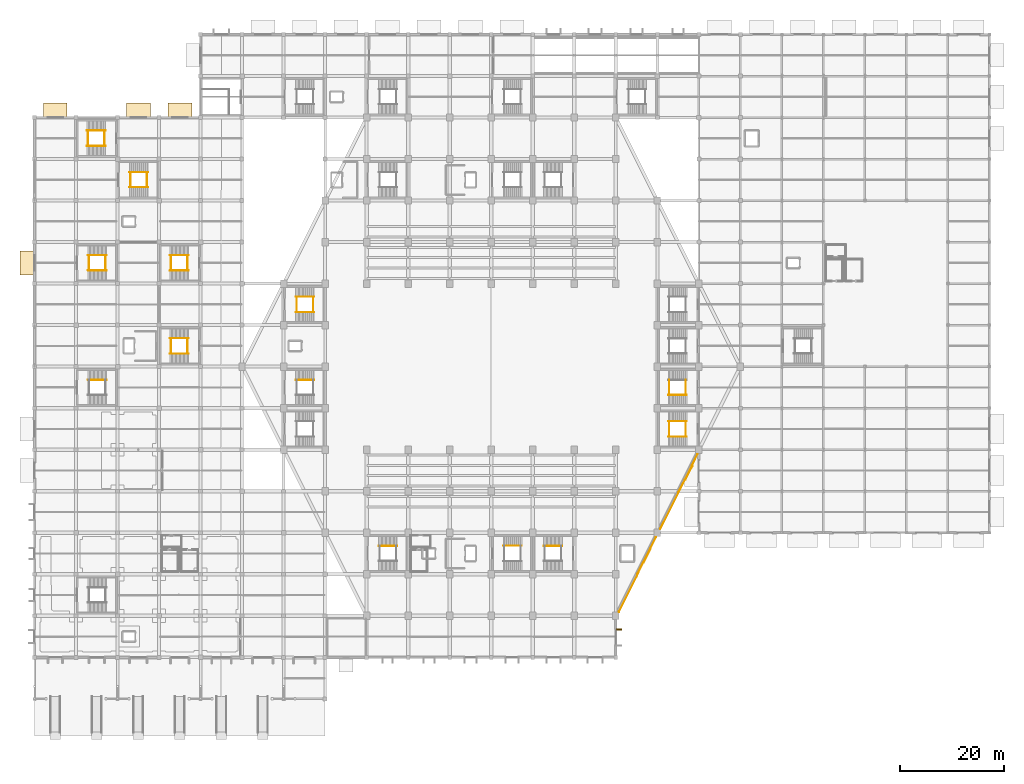
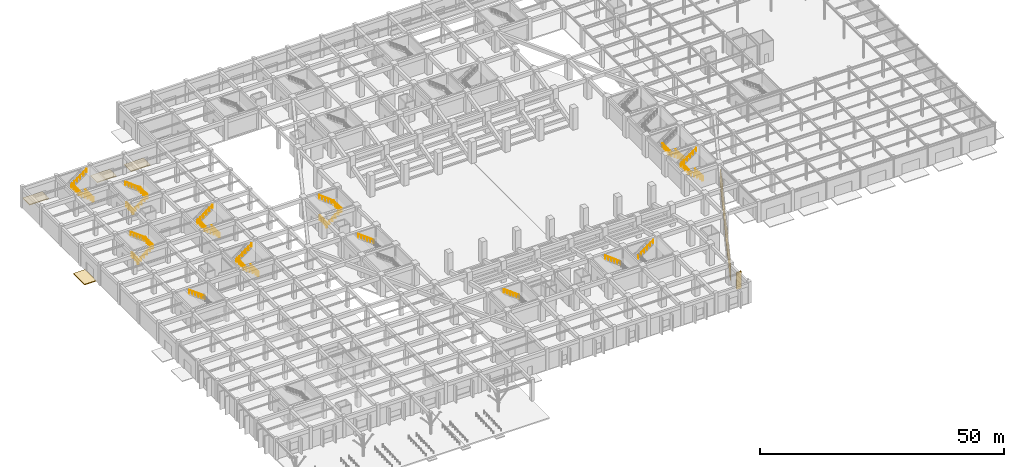
# One storey, part 37 of 39: 36 railings, 9 coverings, 2 shading devices.
"""IFC4 building model written with IfcOpenShell, lengths in metres."""

from ifc_helpers import new_model, si_unit, direction, frame, origin, origin_2d, place, context, subcontext, project, spatial, polyline, rectangle, circle, outline, extrude, material, layer, layer_set, type_object, element, save


model = new_model("IFC4")

# Units and contexts
model_context = context("Model", 3, precision=1e-05, world=origin(), true_north=direction((0.0, 1.0)))
body_context = subcontext(model_context, "Body", "Model", "MODEL_VIEW")
ifc_project = project(units=[si_unit("LENGTHUNIT", "METRE"), si_unit("AREAUNIT", "SQUARE_METRE"), si_unit("VOLUMEUNIT", "CUBIC_METRE"), si_unit("PLANEANGLEUNIT", "RADIAN"), si_unit("MASSUNIT", "GRAM", prefix="KILO")], contexts=[model_context])

# Site, building, storey
site_placement = place(None, origin())
site = spatial("IfcSite", under=ifc_project, at=site_placement, CompositionType="ELEMENT")
building_placement = place(site_placement, origin())
building = spatial("IfcBuilding", under=site, at=building_placement, Name="Tazarka Park Arena", CompositionType="ELEMENT")
storey_placement = place(building_placement, origin())
storey = spatial("IfcBuildingStorey", under=building, at=storey_placement, Name="L00", CompositionType="ELEMENT", Elevation=0.0)

# Coverings
ifc_material_1 = material(Name="Dark ribbed perforated bronze-charcoal aluminium mesh", Category="aluminium")
ifc_layer_1 = layer(ifc_material_1, 0.06005859375, Name="Dark ribbed perforated bronze-charcoal aluminium mesh")
ifc_layer_set_1 = layer_set([ifc_layer_1], Name="Dark ribbed perforated bronze-charcoal aluminium mesh")
covering_type_1 = type_object("IfcCoveringType", Name="CLD-01", PredefinedType="CLADDING", material=ifc_layer_set_1)
covering_1_placement = place(storey_placement, frame((112.60498046875, 13.367431640625, 0.0), z_axis=(0.0, 0.0, 1.0), x_axis=(0.0, -1.0, 0.0)))
element("IfcCovering", 1, at=covering_1_placement, inside=storey, type_object=covering_type_1, Name="Window Reveal Brise-Soleil Fin L00-0023-1", PredefinedType="CLADDING", context=body_context, shape_type="SweptSolid", body=[
    extrude(rectangle(XDim=0.280029296875, YDim=1.10009765625, at=origin_2d()), origin(), (0.0, 0.0, 1.0), 4.199951171875),
])
for number, where, z_axis, x_axis, name in (
    (2, (125.99560546875, 43.577392578125, 0.0), (0.0, 0.0, 1.0), (-0.447290848419, -0.89438856037, 0.0), "Ribbed Metal Mesh Cladding EW-L00-0152"),
    (3, (122.344482421875, 36.252685546875, 0.0), (0.0, 0.0, 1.0), (-0.447290848419, -0.89438856037, 0.0), "Ribbed Metal Mesh Cladding EW-L00-0153"),
    (4, (117.968505859375, 27.5908203125, 0.0), (0.0, 0.0, 1.0), (-0.447290848419, -0.89438856037, 0.0), "Ribbed Metal Mesh Cladding EW-L00-0154"),
    (5, (114.353515625, 20.248291015625, 0.0), (0.0, 0.0, 1.0), (-0.447290848419, -0.89438856037, 0.0), "Ribbed Metal Mesh Cladding EW-L00-0155"),
):
    element("IfcCovering", number, at=place(storey_placement, frame(where, z_axis=z_axis, x_axis=x_axis)), inside=storey, type_object=covering_type_1, Name=name, PredefinedType="CLADDING", context=body_context, shape_type="SweptSolid", body=[
        extrude(rectangle(XDim=7.884033203125, YDim=0.06005859375, at=origin_2d()), origin(), (0.0, 0.0, 1.0), 4.050048828125),
    ])

# Railings
ifc_material_2 = material(Name="Brushed architectural stainless steel", Category="steel")
railing_type_1 = type_object("IfcRailingType", Name="HR-01", PredefinedType="HANDRAIL", material=ifc_material_2)
railing_1_placement = place(storey_placement, frame((13.885009765625, 61.449951171875, 2.699951171875)))
element("IfcRailing", 6, at=railing_1_placement, inside=storey, type_object=railing_type_1, Name="Stair Handrail ST01-L00-F2", PredefinedType="HANDRAIL", context=body_context, shape_type="SweptSolid", body=[
    extrude(circle(Radius=0.02392578125, at=origin_2d()), frame((0.0, 0.0, 0.89599609375), z_axis=(-0.797591487339, 0.0, 0.603197993468), x_axis=(0.0, -1.0, 0.0)), (0.0, 0.0, 1.0), 4.47607421875),
    extrude(circle(Radius=0.02099609375, at=origin_2d()), origin(), (0.0, 0.0, 1.0), 0.871826171875),
    extrude(circle(Radius=0.02099609375, at=origin_2d()), frame((-0.714111328125, 0.0, 0.5400390625)), (0.0, 0.0, 1.0), 0.871826171875),
    extrude(circle(Radius=0.02099609375, at=origin_2d()), frame((-1.427978515625, 0.0, 1.080078125)), (0.0, 0.0, 1.0), 0.871826171875),
    extrude(circle(Radius=0.02099609375, at=origin_2d()), frame((-2.14208984375, 0.0, 1.619873046875)), (0.0, 0.0, 1.0), 0.871826171875),
    extrude(circle(Radius=0.02099609375, at=origin_2d()), frame((-2.85595703125, 0.0, 2.159912109375)), (0.0, 0.0, 1.0), 0.871826171875),
    extrude(circle(Radius=0.02099609375, at=origin_2d()), frame((-3.570068359375, 0.0, 2.699951171875)), (0.0, 0.0, 1.0), 0.871826171875),
])
railing_2_placement = place(storey_placement, frame((10.31494140625, 82.550048828125, 0.0)))
element("IfcRailing", 7, at=railing_2_placement, inside=storey, type_object=railing_type_1, Name="Stair Handrail ST02-L00-F1", PredefinedType="HANDRAIL", context=body_context, shape_type="SweptSolid", body=[
    extrude(circle(Radius=0.02392578125, at=origin_2d()), frame((0.0, 0.0, 0.89599609375), z_axis=(0.797591487339, 0.0, 0.603197993468), x_axis=(0.0, 1.0, 0.0)), (0.0, 0.0, 1.0), 4.47607421875),
    extrude(circle(Radius=0.02099609375, at=origin_2d()), origin(), (0.0, 0.0, 1.0), 0.871826171875),
    extrude(circle(Radius=0.02099609375, at=origin_2d()), frame((0.714111328125, 0.0, 0.5400390625)), (0.0, 0.0, 1.0), 0.871826171875),
    extrude(circle(Radius=0.02099609375, at=origin_2d()), frame((1.427978515625, 0.0, 1.080078125)), (0.0, 0.0, 1.0), 0.871826171875),
    extrude(circle(Radius=0.02099609375, at=origin_2d()), frame((2.14208984375, 0.0, 1.619873046875)), (0.0, 0.0, 1.0), 0.871826171875),
    extrude(circle(Radius=0.02099609375, at=origin_2d()), frame((2.85595703125, 0.0, 2.159912109375)), (0.0, 0.0, 1.0), 0.871826171875),
    extrude(circle(Radius=0.02099609375, at=origin_2d()), frame((3.570068359375, 0.0, 2.699951171875)), (0.0, 0.0, 1.0), 0.871826171875),
])
railing_3_placement = place(storey_placement, frame((13.885009765625, 85.449951171875, 2.699951171875)))
element("IfcRailing", 8, at=railing_3_placement, inside=storey, type_object=railing_type_1, Name="Stair Handrail ST02-L00-F2", PredefinedType="HANDRAIL", context=body_context, shape_type="SweptSolid", body=[
    extrude(circle(Radius=0.02392578125, at=origin_2d()), frame((0.0, 0.0, 0.89599609375), z_axis=(-0.797591487339, 0.0, 0.603197993468), x_axis=(0.0, -1.0, 0.0)), (0.0, 0.0, 1.0), 4.47607421875),
    extrude(circle(Radius=0.02099609375, at=origin_2d()), origin(), (0.0, 0.0, 1.0), 0.871826171875),
    extrude(circle(Radius=0.02099609375, at=origin_2d()), frame((-0.714111328125, 0.0, 0.5400390625)), (0.0, 0.0, 1.0), 0.871826171875),
    extrude(circle(Radius=0.02099609375, at=origin_2d()), frame((-1.427978515625, 0.0, 1.080078125)), (0.0, 0.0, 1.0), 0.871826171875),
    extrude(circle(Radius=0.02099609375, at=origin_2d()), frame((-2.14208984375, 0.0, 1.619873046875)), (0.0, 0.0, 1.0), 0.871826171875),
    extrude(circle(Radius=0.02099609375, at=origin_2d()), frame((-2.85595703125, 0.0, 2.159912109375)), (0.0, 0.0, 1.0), 0.871826171875),
    extrude(circle(Radius=0.02099609375, at=origin_2d()), frame((-3.570068359375, 0.0, 2.699951171875)), (0.0, 0.0, 1.0), 0.871826171875),
])
railing_4_placement = place(storey_placement, frame((18.31494140625, 98.550048828125, 0.0)))
element("IfcRailing", 9, at=railing_4_placement, inside=storey, type_object=railing_type_1, Name="Stair Handrail ST03-L00-F1", PredefinedType="HANDRAIL", context=body_context, shape_type="SweptSolid", body=[
    extrude(circle(Radius=0.02392578125, at=origin_2d()), frame((0.0, 0.0, 0.89599609375), z_axis=(0.797591487339, 0.0, 0.603197993468), x_axis=(0.0, 1.0, 0.0)), (0.0, 0.0, 1.0), 4.47607421875),
    extrude(circle(Radius=0.02099609375, at=origin_2d()), origin(), (0.0, 0.0, 1.0), 0.871826171875),
    extrude(circle(Radius=0.02099609375, at=origin_2d()), frame((0.714111328125, 0.0, 0.5400390625)), (0.0, 0.0, 1.0), 0.871826171875),
    extrude(circle(Radius=0.02099609375, at=origin_2d()), frame((1.427978515625, 0.0, 1.080078125)), (0.0, 0.0, 1.0), 0.871826171875),
    extrude(circle(Radius=0.02099609375, at=origin_2d()), frame((2.14208984375, 0.0, 1.619873046875)), (0.0, 0.0, 1.0), 0.871826171875),
    extrude(circle(Radius=0.02099609375, at=origin_2d()), frame((2.85595703125, 0.0, 2.159912109375)), (0.0, 0.0, 1.0), 0.871826171875),
    extrude(circle(Radius=0.02099609375, at=origin_2d()), frame((3.570068359375, 0.0, 2.699951171875)), (0.0, 0.0, 1.0), 0.871826171875),
])
for number, where, name in (
    (10, (21.885009765625, 101.449951171875, 2.699951171875), "Stair Handrail ST03-L00-F2"),
    (11, (69.885009765625, 29.449951171875, 2.699951171875), "Stair Handrail ST09-L00-F2"),
):
    element("IfcRailing", number, at=place(storey_placement, frame(where)), inside=storey, type_object=railing_type_1, Name=name, PredefinedType="HANDRAIL", context=body_context, shape_type="SweptSolid", body=[
        extrude(circle(Radius=0.02392578125, at=origin_2d()), frame((0.0, 0.0, 0.89599609375), z_axis=(-0.797591487339, 0.0, 0.603197993468), x_axis=(0.0, -1.0, 0.0)), (0.0, 0.0, 1.0), 4.47607421875),
        extrude(circle(Radius=0.02099609375, at=origin_2d()), origin(), (0.0, 0.0, 1.0), 0.871826171875),
        extrude(circle(Radius=0.02099609375, at=origin_2d()), frame((-0.714111328125, 0.0, 0.5400390625)), (0.0, 0.0, 1.0), 0.871826171875),
        extrude(circle(Radius=0.02099609375, at=origin_2d()), frame((-1.427978515625, 0.0, 1.080078125)), (0.0, 0.0, 1.0), 0.871826171875),
        extrude(circle(Radius=0.02099609375, at=origin_2d()), frame((-2.14208984375, 0.0, 1.619873046875)), (0.0, 0.0, 1.0), 0.871826171875),
        extrude(circle(Radius=0.02099609375, at=origin_2d()), frame((-2.85595703125, 0.0, 2.159912109375)), (0.0, 0.0, 1.0), 0.871826171875),
        extrude(circle(Radius=0.02099609375, at=origin_2d()), frame((-3.570068359375, 0.0, 2.699951171875)), (0.0, 0.0, 1.0), 0.871826171875),
    ])
railing_5_placement = place(storey_placement, frame((98.114990234375, 29.449951171875, 2.699951171875)))
element("IfcRailing", 12, at=railing_5_placement, inside=storey, type_object=railing_type_1, Name="Stair Handrail ST11-L00-F2", PredefinedType="HANDRAIL", context=body_context, shape_type="SweptSolid", body=[
    extrude(circle(Radius=0.02392578125, at=origin_2d()), frame((0.0, 0.0, 0.89599609375), z_axis=(0.797591487339, 0.0, 0.603197993468), x_axis=(0.0, 1.0, 0.0)), (0.0, 0.0, 1.0), 4.47607421875),
    extrude(circle(Radius=0.02099609375, at=origin_2d()), origin(), (0.0, 0.0, 1.0), 0.871826171875),
    extrude(circle(Radius=0.02099609375, at=origin_2d()), frame((0.714111328125, 0.0, 0.5400390625)), (0.0, 0.0, 1.0), 0.871826171875),
    extrude(circle(Radius=0.02099609375, at=origin_2d()), frame((1.427978515625, 0.0, 1.080078125)), (0.0, 0.0, 1.0), 0.871826171875),
    extrude(circle(Radius=0.02099609375, at=origin_2d()), frame((2.14208984375, 0.0, 1.619873046875)), (0.0, 0.0, 1.0), 0.871826171875),
    extrude(circle(Radius=0.02099609375, at=origin_2d()), frame((2.85595703125, 0.0, 2.159912109375)), (0.0, 0.0, 1.0), 0.871826171875),
    extrude(circle(Radius=0.02099609375, at=origin_2d()), frame((3.570068359375, 0.0, 2.699951171875)), (0.0, 0.0, 1.0), 0.871826171875),
])
for number, where, name in (
    (13, (125.68505859375, 58.550048828125, 0.0), "Stair Handrail ST12-L00-F1"),
    (14, (53.885009765625, 61.449951171875, 2.699951171875), "Stair Handrail ST13-L00-F2"),
):
    element("IfcRailing", number, at=place(storey_placement, frame(where)), inside=storey, type_object=railing_type_1, Name=name, PredefinedType="HANDRAIL", context=body_context, shape_type="SweptSolid", body=[
        extrude(circle(Radius=0.02392578125, at=origin_2d()), frame((0.0, 0.0, 0.89599609375), z_axis=(-0.797591487339, 0.0, 0.603197993468), x_axis=(0.0, -1.0, 0.0)), (0.0, 0.0, 1.0), 4.47607421875),
        extrude(circle(Radius=0.02099609375, at=origin_2d()), origin(), (0.0, 0.0, 1.0), 0.871826171875),
        extrude(circle(Radius=0.02099609375, at=origin_2d()), frame((-0.714111328125, 0.0, 0.5400390625)), (0.0, 0.0, 1.0), 0.871826171875),
        extrude(circle(Radius=0.02099609375, at=origin_2d()), frame((-1.427978515625, 0.0, 1.080078125)), (0.0, 0.0, 1.0), 0.871826171875),
        extrude(circle(Radius=0.02099609375, at=origin_2d()), frame((-2.14208984375, 0.0, 1.619873046875)), (0.0, 0.0, 1.0), 0.871826171875),
        extrude(circle(Radius=0.02099609375, at=origin_2d()), frame((-2.85595703125, 0.0, 2.159912109375)), (0.0, 0.0, 1.0), 0.871826171875),
        extrude(circle(Radius=0.02099609375, at=origin_2d()), frame((-3.570068359375, 0.0, 2.699951171875)), (0.0, 0.0, 1.0), 0.871826171875),
    ])
railing_6_placement = place(storey_placement, frame((50.31494140625, 74.510009765625, 0.0)))
element("IfcRailing", 15, at=railing_6_placement, inside=storey, type_object=railing_type_1, Name="Stair Handrail ST20-L00-F1", PredefinedType="HANDRAIL", context=body_context, shape_type="SweptSolid", body=[
    extrude(circle(Radius=0.02392578125, at=origin_2d()), frame((0.0, 0.0, 0.89599609375), z_axis=(0.797591487339, 0.0, 0.603197993468), x_axis=(0.0, 1.0, 0.0)), (0.0, 0.0, 1.0), 4.47607421875),
    extrude(circle(Radius=0.02099609375, at=origin_2d()), origin(), (0.0, 0.0, 1.0), 0.871826171875),
    extrude(circle(Radius=0.02099609375, at=origin_2d()), frame((0.714111328125, 0.0, 0.5400390625)), (0.0, 0.0, 1.0), 0.871826171875),
    extrude(circle(Radius=0.02099609375, at=origin_2d()), frame((1.427978515625, 0.0, 1.080078125)), (0.0, 0.0, 1.0), 0.871826171875),
    extrude(circle(Radius=0.02099609375, at=origin_2d()), frame((2.14208984375, 0.0, 1.619873046875)), (0.0, 0.0, 1.0), 0.871826171875),
    extrude(circle(Radius=0.02099609375, at=origin_2d()), frame((2.85595703125, 0.0, 2.159912109375)), (0.0, 0.0, 1.0), 0.871826171875),
    extrude(circle(Radius=0.02099609375, at=origin_2d()), frame((3.570068359375, 0.0, 2.699951171875)), (0.0, 0.0, 1.0), 0.871826171875),
])
for number, where, name in (
    (16, (53.885009765625, 77.489990234375, 2.699951171875), "Stair Handrail ST20-L00-F2"),
    (17, (125.68505859375, 50.510009765625, 0.0), "Stair Handrail ST21-L00-F1"),
):
    element("IfcRailing", number, at=place(storey_placement, frame(where)), inside=storey, type_object=railing_type_1, Name=name, PredefinedType="HANDRAIL", context=body_context, shape_type="SweptSolid", body=[
        extrude(circle(Radius=0.02392578125, at=origin_2d()), frame((0.0, 0.0, 0.89599609375), z_axis=(-0.797591487339, 0.0, 0.603197993468), x_axis=(0.0, -1.0, 0.0)), (0.0, 0.0, 1.0), 4.47607421875),
        extrude(circle(Radius=0.02099609375, at=origin_2d()), origin(), (0.0, 0.0, 1.0), 0.871826171875),
        extrude(circle(Radius=0.02099609375, at=origin_2d()), frame((-0.714111328125, 0.0, 0.5400390625)), (0.0, 0.0, 1.0), 0.871826171875),
        extrude(circle(Radius=0.02099609375, at=origin_2d()), frame((-1.427978515625, 0.0, 1.080078125)), (0.0, 0.0, 1.0), 0.871826171875),
        extrude(circle(Radius=0.02099609375, at=origin_2d()), frame((-2.14208984375, 0.0, 1.619873046875)), (0.0, 0.0, 1.0), 0.871826171875),
        extrude(circle(Radius=0.02099609375, at=origin_2d()), frame((-2.85595703125, 0.0, 2.159912109375)), (0.0, 0.0, 1.0), 0.871826171875),
        extrude(circle(Radius=0.02099609375, at=origin_2d()), frame((-3.570068359375, 0.0, 2.699951171875)), (0.0, 0.0, 1.0), 0.871826171875),
    ])
railing_7_placement = place(storey_placement, frame((122.114990234375, 53.489990234375, 2.699951171875)))
element("IfcRailing", 18, at=railing_7_placement, inside=storey, type_object=railing_type_1, Name="Stair Handrail ST21-L00-F2", PredefinedType="HANDRAIL", context=body_context, shape_type="SweptSolid", body=[
    extrude(circle(Radius=0.02392578125, at=origin_2d()), frame((0.0, 0.0, 0.89599609375), z_axis=(0.797591487339, 0.0, 0.603197993468), x_axis=(0.0, 1.0, 0.0)), (0.0, 0.0, 1.0), 4.47607421875),
    extrude(circle(Radius=0.02099609375, at=origin_2d()), origin(), (0.0, 0.0, 1.0), 0.871826171875),
    extrude(circle(Radius=0.02099609375, at=origin_2d()), frame((0.714111328125, 0.0, 0.5400390625)), (0.0, 0.0, 1.0), 0.871826171875),
    extrude(circle(Radius=0.02099609375, at=origin_2d()), frame((1.427978515625, 0.0, 1.080078125)), (0.0, 0.0, 1.0), 0.871826171875),
    extrude(circle(Radius=0.02099609375, at=origin_2d()), frame((2.14208984375, 0.0, 1.619873046875)), (0.0, 0.0, 1.0), 0.871826171875),
    extrude(circle(Radius=0.02099609375, at=origin_2d()), frame((2.85595703125, 0.0, 2.159912109375)), (0.0, 0.0, 1.0), 0.871826171875),
    extrude(circle(Radius=0.02099609375, at=origin_2d()), frame((3.570068359375, 0.0, 2.699951171875)), (0.0, 0.0, 1.0), 0.871826171875),
])
for number, where, name in (
    (19, (93.885009765625, 29.489990234375, 2.699951171875), "Stair Handrail ST23-L00-F2"),
    (20, (29.68505859375, 66.510009765625, 0.0), "Stair Handrail ST24-L00-F1"),
):
    element("IfcRailing", number, at=place(storey_placement, frame(where)), inside=storey, type_object=railing_type_1, Name=name, PredefinedType="HANDRAIL", context=body_context, shape_type="SweptSolid", body=[
        extrude(circle(Radius=0.02392578125, at=origin_2d()), frame((0.0, 0.0, 0.89599609375), z_axis=(-0.797591487339, 0.0, 0.603197993468), x_axis=(0.0, -1.0, 0.0)), (0.0, 0.0, 1.0), 4.47607421875),
        extrude(circle(Radius=0.02099609375, at=origin_2d()), origin(), (0.0, 0.0, 1.0), 0.871826171875),
        extrude(circle(Radius=0.02099609375, at=origin_2d()), frame((-0.714111328125, 0.0, 0.5400390625)), (0.0, 0.0, 1.0), 0.871826171875),
        extrude(circle(Radius=0.02099609375, at=origin_2d()), frame((-1.427978515625, 0.0, 1.080078125)), (0.0, 0.0, 1.0), 0.871826171875),
        extrude(circle(Radius=0.02099609375, at=origin_2d()), frame((-2.14208984375, 0.0, 1.619873046875)), (0.0, 0.0, 1.0), 0.871826171875),
        extrude(circle(Radius=0.02099609375, at=origin_2d()), frame((-2.85595703125, 0.0, 2.159912109375)), (0.0, 0.0, 1.0), 0.871826171875),
        extrude(circle(Radius=0.02099609375, at=origin_2d()), frame((-3.570068359375, 0.0, 2.699951171875)), (0.0, 0.0, 1.0), 0.871826171875),
    ])
railing_8_placement = place(storey_placement, frame((26.114990234375, 69.489990234375, 2.699951171875)))
element("IfcRailing", 21, at=railing_8_placement, inside=storey, type_object=railing_type_1, Name="Stair Handrail ST24-L00-F2", PredefinedType="HANDRAIL", context=body_context, shape_type="SweptSolid", body=[
    extrude(circle(Radius=0.02392578125, at=origin_2d()), frame((0.0, 0.0, 0.89599609375), z_axis=(0.797591487339, 0.0, 0.603197993468), x_axis=(0.0, 1.0, 0.0)), (0.0, 0.0, 1.0), 4.47607421875),
    extrude(circle(Radius=0.02099609375, at=origin_2d()), origin(), (0.0, 0.0, 1.0), 0.871826171875),
    extrude(circle(Radius=0.02099609375, at=origin_2d()), frame((0.714111328125, 0.0, 0.5400390625)), (0.0, 0.0, 1.0), 0.871826171875),
    extrude(circle(Radius=0.02099609375, at=origin_2d()), frame((1.427978515625, 0.0, 1.080078125)), (0.0, 0.0, 1.0), 0.871826171875),
    extrude(circle(Radius=0.02099609375, at=origin_2d()), frame((2.14208984375, 0.0, 1.619873046875)), (0.0, 0.0, 1.0), 0.871826171875),
    extrude(circle(Radius=0.02099609375, at=origin_2d()), frame((2.85595703125, 0.0, 2.159912109375)), (0.0, 0.0, 1.0), 0.871826171875),
    extrude(circle(Radius=0.02099609375, at=origin_2d()), frame((3.570068359375, 0.0, 2.699951171875)), (0.0, 0.0, 1.0), 0.871826171875),
])
railing_9_placement = place(storey_placement, frame((13.68505859375, 106.510009765625, 0.0)))
element("IfcRailing", 22, at=railing_9_placement, inside=storey, type_object=railing_type_1, Name="Stair Handrail ST25-L00-F1", PredefinedType="HANDRAIL", context=body_context, shape_type="SweptSolid", body=[
    extrude(circle(Radius=0.02392578125, at=origin_2d()), frame((0.0, 0.0, 0.89599609375), z_axis=(-0.797591487339, 0.0, 0.603197993468), x_axis=(0.0, -1.0, 0.0)), (0.0, 0.0, 1.0), 4.47607421875),
    extrude(circle(Radius=0.02099609375, at=origin_2d()), origin(), (0.0, 0.0, 1.0), 0.871826171875),
    extrude(circle(Radius=0.02099609375, at=origin_2d()), frame((-0.714111328125, 0.0, 0.5400390625)), (0.0, 0.0, 1.0), 0.871826171875),
    extrude(circle(Radius=0.02099609375, at=origin_2d()), frame((-1.427978515625, 0.0, 1.080078125)), (0.0, 0.0, 1.0), 0.871826171875),
    extrude(circle(Radius=0.02099609375, at=origin_2d()), frame((-2.14208984375, 0.0, 1.619873046875)), (0.0, 0.0, 1.0), 0.871826171875),
    extrude(circle(Radius=0.02099609375, at=origin_2d()), frame((-2.85595703125, 0.0, 2.159912109375)), (0.0, 0.0, 1.0), 0.871826171875),
    extrude(circle(Radius=0.02099609375, at=origin_2d()), frame((-3.570068359375, 0.0, 2.699951171875)), (0.0, 0.0, 1.0), 0.871826171875),
])
railing_10_placement = place(storey_placement, frame((10.114990234375, 109.489990234375, 2.699951171875)))
element("IfcRailing", 23, at=railing_10_placement, inside=storey, type_object=railing_type_1, Name="Stair Handrail ST25-L00-F2", PredefinedType="HANDRAIL", context=body_context, shape_type="SweptSolid", body=[
    extrude(circle(Radius=0.02392578125, at=origin_2d()), frame((0.0, 0.0, 0.89599609375), z_axis=(0.797591487339, 0.0, 0.603197993468), x_axis=(0.0, 1.0, 0.0)), (0.0, 0.0, 1.0), 4.47607421875),
    extrude(circle(Radius=0.02099609375, at=origin_2d()), origin(), (0.0, 0.0, 1.0), 0.871826171875),
    extrude(circle(Radius=0.02099609375, at=origin_2d()), frame((0.714111328125, 0.0, 0.5400390625)), (0.0, 0.0, 1.0), 0.871826171875),
    extrude(circle(Radius=0.02099609375, at=origin_2d()), frame((1.427978515625, 0.0, 1.080078125)), (0.0, 0.0, 1.0), 0.871826171875),
    extrude(circle(Radius=0.02099609375, at=origin_2d()), frame((2.14208984375, 0.0, 1.619873046875)), (0.0, 0.0, 1.0), 0.871826171875),
    extrude(circle(Radius=0.02099609375, at=origin_2d()), frame((2.85595703125, 0.0, 2.159912109375)), (0.0, 0.0, 1.0), 0.871826171875),
    extrude(circle(Radius=0.02099609375, at=origin_2d()), frame((3.570068359375, 0.0, 2.699951171875)), (0.0, 0.0, 1.0), 0.871826171875),
])
railing_11_placement = place(storey_placement, frame((29.68505859375, 82.510009765625, 0.0)))
element("IfcRailing", 24, at=railing_11_placement, inside=storey, type_object=railing_type_1, Name="Stair Handrail ST26-L00-F1", PredefinedType="HANDRAIL", context=body_context, shape_type="SweptSolid", body=[
    extrude(circle(Radius=0.02392578125, at=origin_2d()), frame((0.0, 0.0, 0.89599609375), z_axis=(-0.797591487339, 0.0, 0.603197993468), x_axis=(0.0, -1.0, 0.0)), (0.0, 0.0, 1.0), 4.47607421875),
    extrude(circle(Radius=0.02099609375, at=origin_2d()), origin(), (0.0, 0.0, 1.0), 0.871826171875),
    extrude(circle(Radius=0.02099609375, at=origin_2d()), frame((-0.714111328125, 0.0, 0.5400390625)), (0.0, 0.0, 1.0), 0.871826171875),
    extrude(circle(Radius=0.02099609375, at=origin_2d()), frame((-1.427978515625, 0.0, 1.080078125)), (0.0, 0.0, 1.0), 0.871826171875),
    extrude(circle(Radius=0.02099609375, at=origin_2d()), frame((-2.14208984375, 0.0, 1.619873046875)), (0.0, 0.0, 1.0), 0.871826171875),
    extrude(circle(Radius=0.02099609375, at=origin_2d()), frame((-2.85595703125, 0.0, 2.159912109375)), (0.0, 0.0, 1.0), 0.871826171875),
    extrude(circle(Radius=0.02099609375, at=origin_2d()), frame((-3.570068359375, 0.0, 2.699951171875)), (0.0, 0.0, 1.0), 0.871826171875),
])
railing_12_placement = place(storey_placement, frame((26.114990234375, 85.489990234375, 2.699951171875)))
element("IfcRailing", 25, at=railing_12_placement, inside=storey, type_object=railing_type_1, Name="Stair Handrail ST26-L00-F2", PredefinedType="HANDRAIL", context=body_context, shape_type="SweptSolid", body=[
    extrude(circle(Radius=0.02392578125, at=origin_2d()), frame((0.0, 0.0, 0.89599609375), z_axis=(0.797591487339, 0.0, 0.603197993468), x_axis=(0.0, 1.0, 0.0)), (0.0, 0.0, 1.0), 4.47607421875),
    extrude(circle(Radius=0.02099609375, at=origin_2d()), origin(), (0.0, 0.0, 1.0), 0.871826171875),
    extrude(circle(Radius=0.02099609375, at=origin_2d()), frame((0.714111328125, 0.0, 0.5400390625)), (0.0, 0.0, 1.0), 0.871826171875),
    extrude(circle(Radius=0.02099609375, at=origin_2d()), frame((1.427978515625, 0.0, 1.080078125)), (0.0, 0.0, 1.0), 0.871826171875),
    extrude(circle(Radius=0.02099609375, at=origin_2d()), frame((2.14208984375, 0.0, 1.619873046875)), (0.0, 0.0, 1.0), 0.871826171875),
    extrude(circle(Radius=0.02099609375, at=origin_2d()), frame((2.85595703125, 0.0, 2.159912109375)), (0.0, 0.0, 1.0), 0.871826171875),
    extrude(circle(Radius=0.02099609375, at=origin_2d()), frame((3.570068359375, 0.0, 2.699951171875)), (0.0, 0.0, 1.0), 0.871826171875),
])
ifc_material_3 = material(Name="Galvanised powder-coated architectural steel", Category="steel")
railing_type_2 = type_object("IfcRailingType", Name="IGR-01", PredefinedType="GUARDRAIL", material=ifc_material_3)
for number, where, name in (
    (26, (10.514892578125, 82.550048828125, 0.0), "Stair Well Guardrail ST02-L00"),
    (27, (13.68505859375, 82.550048828125, 2.699951171875), "Landing Guardrail ST02-L00-M"),
    (28, (18.514892578125, 98.550048828125, 0.0), "Stair Well Guardrail ST03-L00"),
    (29, (21.68505859375, 98.550048828125, 2.699951171875), "Landing Guardrail ST03-L00-M"),
    (30, (125.485107421875, 58.550048828125, 0.0), "Stair Well Guardrail ST12-L00"),
    (31, (122.31494140625, 58.550048828125, 2.699951171875), "Landing Guardrail ST12-L00-M"),
):
    element("IfcRailing", number, at=place(storey_placement, frame(where)), inside=storey, type_object=railing_type_2, Name=name, PredefinedType="GUARDRAIL", context=body_context, shape_type="SweptSolid", body=[
        extrude(circle(Radius=0.02392578125, at=origin_2d()), frame((0.0, 0.0, 1.1259765625), z_axis=(0.0, 1.0, 0.0), x_axis=(-1.0, 0.0, 0.0)), (0.0, 0.0, 1.0), 2.89990234375),
        extrude(circle(Radius=0.02099609375, at=origin_2d()), origin(), (0.0, 0.0, 1.0), 1.101806640625),
        extrude(circle(Radius=0.02099609375, at=origin_2d()), frame((0.0, 0.72509765625, 0.0)), (0.0, 0.0, 1.0), 1.101806640625),
        extrude(circle(Radius=0.02099609375, at=origin_2d()), frame((0.0, 1.449951171875, 0.0)), (0.0, 0.0, 1.0), 1.101806640625),
        extrude(circle(Radius=0.02099609375, at=origin_2d()), frame((0.0, 2.1748046875, 0.0)), (0.0, 0.0, 1.0), 1.101806640625),
        extrude(circle(Radius=0.02099609375, at=origin_2d()), frame((0.0, 2.89990234375, 0.0)), (0.0, 0.0, 1.0), 1.101806640625),
    ])
for number, where, name in (
    (32, (50.514892578125, 74.510009765625, 0.0), "Stair Well Guardrail ST20-L00"),
    (33, (53.68505859375, 74.510009765625, 2.699951171875), "Landing Guardrail ST20-L00-M"),
    (34, (125.485107421875, 50.510009765625, 0.0), "Stair Well Guardrail ST21-L00"),
    (35, (122.31494140625, 50.510009765625, 2.699951171875), "Landing Guardrail ST21-L00-M"),
    (36, (29.485107421875, 66.510009765625, 0.0), "Stair Well Guardrail ST24-L00"),
    (37, (26.31494140625, 66.510009765625, 2.699951171875), "Landing Guardrail ST24-L00-M"),
    (38, (13.485107421875, 106.510009765625, 0.0), "Stair Well Guardrail ST25-L00"),
    (39, (10.31494140625, 106.510009765625, 2.699951171875), "Landing Guardrail ST25-L00-M"),
    (40, (29.485107421875, 82.510009765625, 0.0), "Stair Well Guardrail ST26-L00"),
    (41, (26.31494140625, 82.510009765625, 2.699951171875), "Landing Guardrail ST26-L00-M"),
):
    element("IfcRailing", number, at=place(storey_placement, frame(where)), inside=storey, type_object=railing_type_2, Name=name, PredefinedType="GUARDRAIL", context=body_context, shape_type="SweptSolid", body=[
        extrude(circle(Radius=0.02392578125, at=origin_2d()), frame((0.0, 0.0, 1.1259765625), z_axis=(0.0, 1.0, 0.0), x_axis=(-1.0, 0.0, 0.0)), (0.0, 0.0, 1.0), 2.97998046875),
        extrude(circle(Radius=0.02099609375, at=origin_2d()), origin(), (0.0, 0.0, 1.0), 1.101806640625),
        extrude(circle(Radius=0.02099609375, at=origin_2d()), frame((0.0, 0.7451171875, 0.0)), (0.0, 0.0, 1.0), 1.101806640625),
        extrude(circle(Radius=0.02099609375, at=origin_2d()), frame((0.0, 1.489990234375, 0.0)), (0.0, 0.0, 1.0), 1.101806640625),
        extrude(circle(Radius=0.02099609375, at=origin_2d()), frame((0.0, 2.23486328125, 0.0)), (0.0, 0.0, 1.0), 1.101806640625),
        extrude(circle(Radius=0.02099609375, at=origin_2d()), frame((0.0, 2.97998046875, 0.0)), (0.0, 0.0, 1.0), 1.101806640625),
    ])

# Coverings
ifc_material_4 = material(Name="Standing-seam acoustic aluminium roofing membrane", Category="aluminium")
ifc_layer_2 = layer(ifc_material_4, 0.050048828125, Name="Standing-seam acoustic aluminium roofing membrane")
ifc_layer_set_2 = layer_set([ifc_layer_2], Name="Standing-seam acoustic aluminium roofing membrane")
covering_type_2 = type_object("IfcCoveringType", Name="RFG-01", PredefinedType="ROOFING", material=ifc_layer_set_2)
covering_2_placement = place(storey_placement, frame((0.0, 0.0, -0.199951171875)))
element("IfcCovering", 42, at=covering_2_placement, inside=storey, type_object=covering_type_2, Name="Threshold Paving G17", PredefinedType="ROOFING", context=body_context, shape_type="SweptSolid", body=[
    extrude(outline(polyline([(25.699951171875, 114.800048828125), (30.300048828125, 114.800048828125), (30.300048828125, 112.02001953125), (25.699951171875, 112.02001953125), (25.699951171875, 114.800048828125)])), origin(), (0.0, 0.0, 1.0), 0.199951171875),
])
covering_3_placement = place(storey_placement, frame((0.0, 0.0, -0.199951171875)))
element("IfcCovering", 43, at=covering_3_placement, inside=storey, type_object=covering_type_2, Name="Threshold Paving G18", PredefinedType="ROOFING", context=body_context, shape_type="SweptSolid", body=[
    extrude(outline(polyline([(17.699951171875, 114.800048828125), (22.300048828125, 114.800048828125), (22.300048828125, 112.02001953125), (17.699951171875, 112.02001953125), (17.699951171875, 114.800048828125)])), origin(), (0.0, 0.0, 1.0), 0.199951171875),
])
covering_4_placement = place(storey_placement, frame((0.0, 0.0, -0.199951171875)))
element("IfcCovering", 44, at=covering_4_placement, inside=storey, type_object=covering_type_2, Name="Threshold Paving G19", PredefinedType="ROOFING", context=body_context, shape_type="SweptSolid", body=[
    extrude(outline(polyline([(1.699951171875, 114.800048828125), (6.300048828125, 114.800048828125), (6.300048828125, 112.02001953125), (1.699951171875, 112.02001953125), (1.699951171875, 114.800048828125)])), origin(), (0.0, 0.0, 1.0), 0.199951171875),
])
covering_5_placement = place(storey_placement, frame((0.0, 0.0, -0.199951171875)))
element("IfcCovering", 45, at=covering_5_placement, inside=storey, type_object=covering_type_2, Name="Threshold Paving G20", PredefinedType="ROOFING", context=body_context, shape_type="SweptSolid", body=[
    extrude(outline(polyline([(-2.800048828125, 81.699951171875), (-2.800048828125, 86.300048828125), (-0.02001953125, 86.300048828125), (-0.02001953125, 81.699951171875), (-2.800048828125, 81.699951171875)])), origin(), (0.0, 0.0, 1.0), 0.199951171875),
])

# Shading devices
ifc_material_5 = material(Name="Dark ribbed perforated bronze-charcoal aluminium mesh", Category="aluminium")
shading_device_type = type_object("IfcShadingDeviceType", Name="SHD-02", PredefinedType="JALOUSIE", material=ifc_material_5)
for number, where, z_axis, x_axis, name in (
    (46, (126.049072265625, 43.55029296875, 0.0), (0.0, 0.0, 1.0), (-0.447290848419, -0.89438856037, 0.0), "Perforated Mesh Screen EW-L00-0152"),
    (47, (118.022216796875, 27.563720703125, 0.0), (0.0, 0.0, 1.0), (-0.447290848419, -0.89438856037, 0.0), "Perforated Mesh Screen EW-L00-0154"),
):
    element("IfcShadingDevice", number, at=place(storey_placement, frame(where, z_axis=z_axis, x_axis=x_axis)), inside=storey, type_object=shading_device_type, Name=name, PredefinedType="JALOUSIE", context=body_context, shape_type="SweptSolid", body=[
        extrude(rectangle(XDim=3.0, YDim=0.139892578125, at=origin_2d()), origin(), (0.0, 0.0, 1.0), 4.050048828125),
    ])

save(model, "model.ifc")
